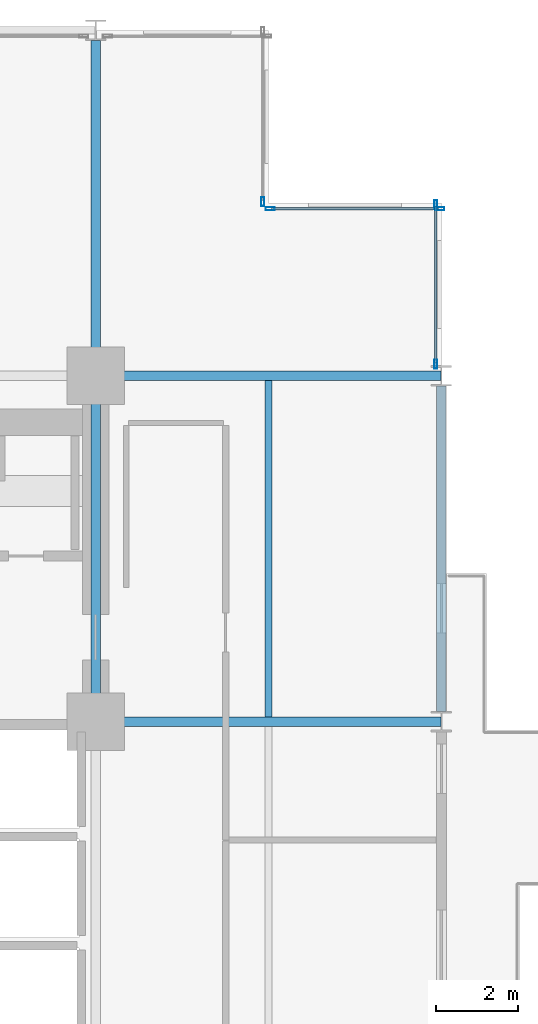
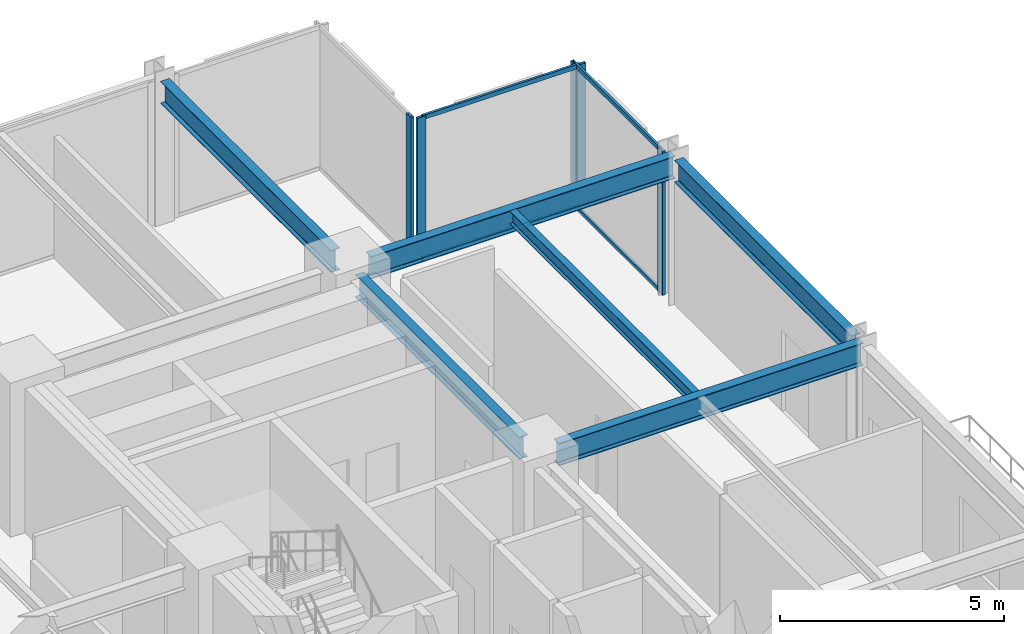
# One storey, part 16 of 25: 9 members, 6 beams, 3 elements without a shape of their own.
"""IFC4 building model written with IfcOpenShell, lengths in metres."""

from ifc_helpers import new_model, si_unit, direction, frame, origin, origin_2d, place, context, subcontext, project, spatial, hollow_rectangle, i_section, extrude, material, layer, layer_set, material_profile, profile_set, type_object, element, aggregate, save


model = new_model("IFC4")

# Units and contexts
model_context = context("Model", 3, precision=1e-05, world=origin(), true_north=direction((0.0, 1.0)))
body_context = subcontext(model_context, "Body", "Model", "MODEL_VIEW")
ifc_project = project(units=[si_unit("LENGTHUNIT", "METRE"), si_unit("AREAUNIT", "SQUARE_METRE"), si_unit("VOLUMEUNIT", "CUBIC_METRE"), si_unit("PLANEANGLEUNIT", "RADIAN"), si_unit("MASSUNIT", "GRAM", prefix="KILO")], contexts=[model_context])

# Site, building, storey
site_placement = place(None, origin())
site = spatial("IfcSite", under=ifc_project, at=site_placement, CompositionType="ELEMENT")
building_placement = place(site_placement, origin())
building = spatial("IfcBuilding", under=site, at=building_placement, Name="Nerrivon Quay Data Exchange", CompositionType="ELEMENT")
storey_placement = place(building_placement, frame((0.0, 0.0, 58.39990234375)))
storey = spatial("IfcBuildingStorey", under=building, at=storey_placement, Name="L13", CompositionType="ELEMENT", Elevation=58.39990234375)

# Beams
ifc_material_1 = material(Name="Steel Grade 350", Category="steel")
ifc_material_profile_1 = material_profile(ifc_material_1, i_section(OverallWidth=0.22900390625, OverallDepth=0.612060546875, WebThickness=0.011962890625, FlangeThickness=0.01953125, FilletRadius=0.013916015625, at=origin_2d()), Name="610UB125")
ifc_profile_set_1 = profile_set([ifc_material_profile_1], Name="Steel Grade 350")
beam_type_1 = type_object("IfcBeamType", Name="BM-G1-610UB125", PredefinedType="BEAM", material=ifc_profile_set_1)
for number, where, z_axis, x_axis, name in (
    (1, (17.340087890625, 33.60009765625, 3.619140625), (1.0, 0.0, 0.0), (0.0, 1.0, 0.0), "L13 EW Girder Y=33.6 (16.8..25.2)"),
    (2, (17.340087890625, 42.0, 3.619140625), (1.0, 0.0, 0.0), (0.0, 1.0, 0.0), "L13 EW Girder Y=42.0 (16.8..25.2)"),
):
    element("IfcBeam", number, at=place(storey_placement, frame(where, z_axis=z_axis, x_axis=x_axis)), inside=storey, type_object=beam_type_1, Name=name, PredefinedType="BEAM", context=body_context, shape_type="SweptSolid", body=[
        extrude(i_section(OverallWidth=0.22900390625, OverallDepth=0.612060546875, WebThickness=0.011962890625, FlangeThickness=0.01953125, FilletRadius=0.013916015625, at=origin_2d()), origin(), (0.0, 0.0, 1.0), 7.845947265625),
    ])
ifc_material_profile_2 = material_profile(ifc_material_1, i_section(OverallWidth=0.22802734375, OverallDepth=0.60205078125, WebThickness=0.010498046875, FlangeThickness=0.014892578125, FilletRadius=0.013916015625, at=origin_2d()), Name="610UB101")
ifc_profile_set_2 = profile_set([ifc_material_profile_2], Name="Steel Grade 350")
beam_type_2 = type_object("IfcBeamType", Name="BM-G2-610UB101", PredefinedType="BEAM", material=ifc_profile_set_2)
beam_1_placement = place(storey_placement, frame((16.800048828125, 34.139892578125, 3.6240234375), z_axis=(0.0, 1.0, 0.0), x_axis=(-1.0, 0.0, 0.0)))
element("IfcBeam", 3, at=beam_1_placement, inside=storey, type_object=beam_type_2, Name="L13 NS Girder X=16.8 (33.6..42.0)", PredefinedType="BEAM", context=body_context, shape_type="SweptSolid", body=[
    extrude(i_section(OverallWidth=0.22802734375, OverallDepth=0.60205078125, WebThickness=0.010498046875, FlangeThickness=0.014892578125, FilletRadius=0.013916015625, at=origin_2d()), origin(), (0.0, 0.0, 1.0), 7.320068359375),
])
beam_2_placement = place(storey_placement, frame((16.800048828125, 42.5400390625, 3.6240234375), z_axis=(0.0, 1.0, 0.0), x_axis=(-1.0, 0.0, 0.0)))
element("IfcBeam", 4, at=beam_2_placement, inside=storey, type_object=beam_type_2, Name="L13 NS Girder X=16.8 (42.0..50.4)", PredefinedType="BEAM", context=body_context, shape_type="SweptSolid", body=[
    extrude(i_section(OverallWidth=0.22802734375, OverallDepth=0.60205078125, WebThickness=0.010498046875, FlangeThickness=0.014892578125, FilletRadius=0.013916015625, at=origin_2d()), origin(), (0.0, 0.0, 1.0), 7.60986328125),
])
beam_3_placement = place(storey_placement, frame((25.199951171875, 33.85009765625, 3.6240234375), z_axis=(0.0, 1.0, 0.0), x_axis=(-1.0, 0.0, 0.0)))
element("IfcBeam", 5, at=beam_3_placement, inside=storey, type_object=beam_type_2, Name="L13 NS Girder X=25.2 (33.6..42.0)", PredefinedType="BEAM", context=body_context, shape_type="SweptSolid", body=[
    extrude(i_section(OverallWidth=0.22802734375, OverallDepth=0.60205078125, WebThickness=0.010498046875, FlangeThickness=0.014892578125, FilletRadius=0.013916015625, at=origin_2d()), origin(), (0.0, 0.0, 1.0), 7.89990234375),
])
ifc_material_profile_3 = material_profile(ifc_material_1, i_section(OverallWidth=0.172119140625, OverallDepth=0.35888671875, WebThickness=0.008056640625, FlangeThickness=0.012939453125, FilletRadius=0.011474609375, at=origin_2d()), Name="360UB56.7")
ifc_profile_set_3 = profile_set([ifc_material_profile_3], Name="Steel Grade 350")
beam_type_3 = type_object("IfcBeamType", Name="BM-J3-360UB57", PredefinedType="JOIST", material=ifc_profile_set_3)
beam_4_placement = place(storey_placement, frame((21.0, 33.714599609375, 3.74560546875), z_axis=(0.0, 1.0, 0.0), x_axis=(-1.0, 0.0, 0.0)))
element("IfcBeam", 6, at=beam_4_placement, inside=storey, type_object=beam_type_3, Name="L13 Secondary Joist X=21.0 (33.6..42.0)", PredefinedType="JOIST", context=body_context, shape_type="SweptSolid", body=[
    extrude(i_section(OverallWidth=0.172119140625, OverallDepth=0.35888671875, WebThickness=0.008056640625, FlangeThickness=0.012939453125, FilletRadius=0.011474609375, at=origin_2d()), origin(), (0.0, 0.0, 1.0), 8.1708984375),
])

# Curtain wall, member
ifc_material_2 = material(Name="Anodised aluminium 6063-T6", Category="aluminium")
ifc_layer = layer(ifc_material_2, 0.219970703125)
ifc_layer_set = layer_set([ifc_layer], Name="Anodised aluminium 6063-T6")
curtain_wall_type = type_object("IfcCurtainWallType", Name="CW-SYS-01", PredefinedType="NOTDEFINED", material=ifc_layer_set)
curtain_wall_1_placement = place(storey_placement, origin())
curtain_wall_1 = element("IfcCurtainWall", 7, at=curtain_wall_1_placement, inside=storey, type_object=curtain_wall_type, Name="L13 Unitised Curtain Wall 23", PredefinedType="NOTDEFINED")
ifc_material_profile_4 = material_profile(ifc_material_2, hollow_rectangle(XDim=0.074951171875, YDim=0.219970703125, WallThickness=0.00390625, at=origin_2d()), Name="ALU-MULL-220x75")
ifc_profile_set_4 = profile_set([ifc_material_profile_4], Name="Anodised aluminium 6063-T6")
member_type_1 = type_object("IfcMemberType", Name="CWM-220x75", PredefinedType="MULLION", material=ifc_profile_set_4)
member_1_placement = place(storey_placement, frame((20.860107421875, 46.237548828125, 0.0), z_axis=(0.0, 0.0, 1.0), x_axis=(1.0, 0.0, 0.0)))
member_1 = element("IfcMember", 8, at=member_1_placement, type_object=member_type_1, Name="CW01 mullion 2", PredefinedType="MULLION", context=body_context, shape_type="SweptSolid", body=[
    extrude(hollow_rectangle(XDim=0.074951171875, YDim=0.219970703125, WallThickness=0.00390625, at=origin_2d()), origin(), (0.0, 0.0, 1.0), 3.925048828125),
])
aggregate(curtain_wall_1, [member_1])

# Curtain wall, members
curtain_wall_2_placement = place(storey_placement, origin())
curtain_wall_2 = element("IfcCurtainWall", 9, at=curtain_wall_2_placement, inside=storey, type_object=curtain_wall_type, Name="L13 Unitised Curtain Wall 24", PredefinedType="NOTDEFINED")
member_2_placement = place(storey_placement, frame((21.03759765625, 46.06005859375, 0.0), z_axis=(0.0, 0.0, 1.0), x_axis=(0.0, 1.0, 0.0)))
member_2 = element("IfcMember", 10, at=member_2_placement, type_object=member_type_1, Name="CW01 mullion 1", PredefinedType="MULLION", context=body_context, shape_type="SweptSolid", body=[
    extrude(hollow_rectangle(XDim=0.074951171875, YDim=0.219970703125, WallThickness=0.00390625, at=origin_2d()), origin(), (0.0, 0.0, 1.0), 3.925048828125),
])
member_3_placement = place(storey_placement, frame((25.16259765625, 46.06005859375, 0.0), z_axis=(0.0, 0.0, 1.0), x_axis=(0.0, 1.0, 0.0)))
member_3 = element("IfcMember", 11, at=member_3_placement, type_object=member_type_1, Name="CW01 mullion 2", PredefinedType="MULLION", context=body_context, shape_type="SweptSolid", body=[
    extrude(hollow_rectangle(XDim=0.074951171875, YDim=0.219970703125, WallThickness=0.00390625, at=origin_2d()), origin(), (0.0, 0.0, 1.0), 3.925048828125),
])

curtain_wall_3_placement = place(storey_placement, origin())
curtain_wall_3 = element("IfcCurtainWall", 12, at=curtain_wall_3_placement, inside=storey, type_object=curtain_wall_type, Name="L13 Unitised Curtain Wall 25", PredefinedType="NOTDEFINED")
member_4_placement = place(storey_placement, frame((25.06005859375, 46.16259765625, 0.0), z_axis=(0.0, 0.0, 1.0), x_axis=(1.0, 0.0, 0.0)))
member_4 = element("IfcMember", 13, at=member_4_placement, type_object=member_type_1, Name="CW01 mullion 1", PredefinedType="MULLION", context=body_context, shape_type="SweptSolid", body=[
    extrude(hollow_rectangle(XDim=0.074951171875, YDim=0.219970703125, WallThickness=0.00390625, at=origin_2d()), origin(), (0.0, 0.0, 1.0), 3.925048828125),
])
member_5_placement = place(storey_placement, frame((25.06005859375, 42.28759765625, 0.0), z_axis=(0.0, 0.0, 1.0), x_axis=(1.0, 0.0, 0.0)))
member_5 = element("IfcMember", 14, at=member_5_placement, type_object=member_type_1, Name="CW01 mullion 2", PredefinedType="MULLION", context=body_context, shape_type="SweptSolid", body=[
    extrude(hollow_rectangle(XDim=0.074951171875, YDim=0.219970703125, WallThickness=0.00390625, at=origin_2d()), origin(), (0.0, 0.0, 1.0), 3.925048828125),
])

# Member
ifc_material_profile_5 = material_profile(ifc_material_2, hollow_rectangle(XDim=0.06005859375, YDim=0.1201171875, WallThickness=0.003173828125, at=origin_2d()), Name="ALU-TRAN-120x60")
ifc_profile_set_5 = profile_set([ifc_material_profile_5], Name="Anodised aluminium 6063-T6")
member_type_2 = type_object("IfcMemberType", Name="CWT-120x60", PredefinedType="USERDEFINED", material=ifc_profile_set_5)
member_6_placement = place(storey_placement, frame((21.074951171875, 46.06005859375, 0.03271484375), z_axis=(1.0, 0.0, 0.0), x_axis=(0.0, 1.0, 0.0)))
member_6 = element("IfcMember", 15, at=member_6_placement, type_object=member_type_2, Name="CW01 transom 1.1", ObjectType="TRANSOM", PredefinedType="USERDEFINED", context=body_context, shape_type="SweptSolid", body=[
    extrude(hollow_rectangle(XDim=0.06005859375, YDim=0.1201171875, WallThickness=0.003173828125, at=origin_2d()), origin(), (0.0, 0.0, 1.0), 4.050048828125),
])

member_7_placement = place(storey_placement, frame((21.074951171875, 46.06005859375, 3.892578125), z_axis=(1.0, 0.0, 0.0), x_axis=(0.0, 1.0, 0.0)))
member_7 = element("IfcMember", 16, at=member_7_placement, type_object=member_type_2, Name="CW01 transom 1.2", ObjectType="TRANSOM", PredefinedType="USERDEFINED", context=body_context, shape_type="SweptSolid", body=[
    extrude(hollow_rectangle(XDim=0.06005859375, YDim=0.1201171875, WallThickness=0.003173828125, at=origin_2d()), origin(), (0.0, 0.0, 1.0), 4.050048828125),
])

aggregate(curtain_wall_2, [member_2, member_3, member_6, member_7])

member_8_placement = place(storey_placement, frame((25.06005859375, 46.125, 0.03271484375), z_axis=(0.0, -1.0, 0.0), x_axis=(1.0, 0.0, 0.0)))
member_8 = element("IfcMember", 17, at=member_8_placement, type_object=member_type_2, Name="CW01 transom 1.1", ObjectType="TRANSOM", PredefinedType="USERDEFINED", context=body_context, shape_type="SweptSolid", body=[
    extrude(hollow_rectangle(XDim=0.06005859375, YDim=0.1201171875, WallThickness=0.003173828125, at=origin_2d()), origin(), (0.0, 0.0, 1.0), 3.800048828125),
])

member_9_placement = place(storey_placement, frame((25.06005859375, 46.125, 3.892578125), z_axis=(0.0, -1.0, 0.0), x_axis=(1.0, 0.0, 0.0)))
member_9 = element("IfcMember", 18, at=member_9_placement, type_object=member_type_2, Name="CW01 transom 1.2", ObjectType="TRANSOM", PredefinedType="USERDEFINED", context=body_context, shape_type="SweptSolid", body=[
    extrude(hollow_rectangle(XDim=0.06005859375, YDim=0.1201171875, WallThickness=0.003173828125, at=origin_2d()), origin(), (0.0, 0.0, 1.0), 3.800048828125),
])

aggregate(curtain_wall_3, [member_4, member_5, member_8, member_9])

save(model, "model.ifc")
